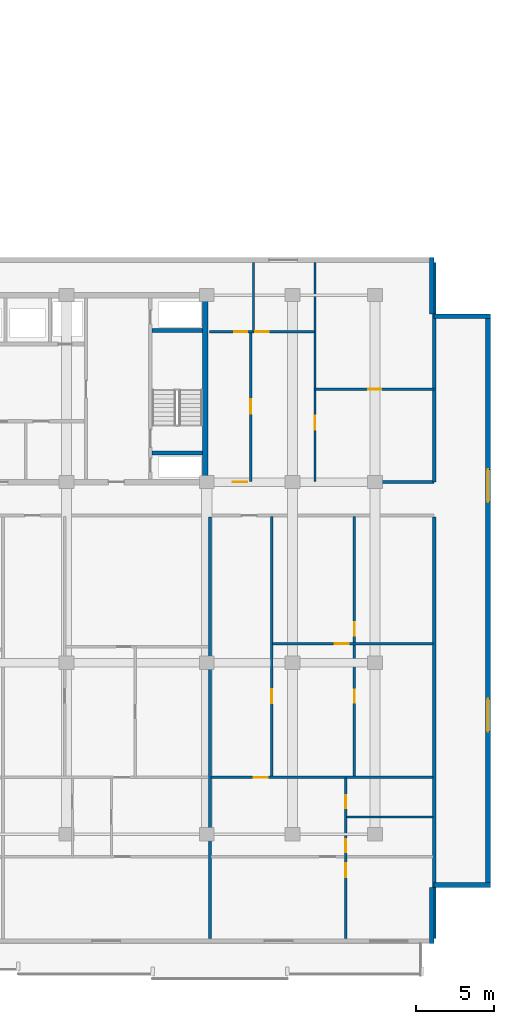
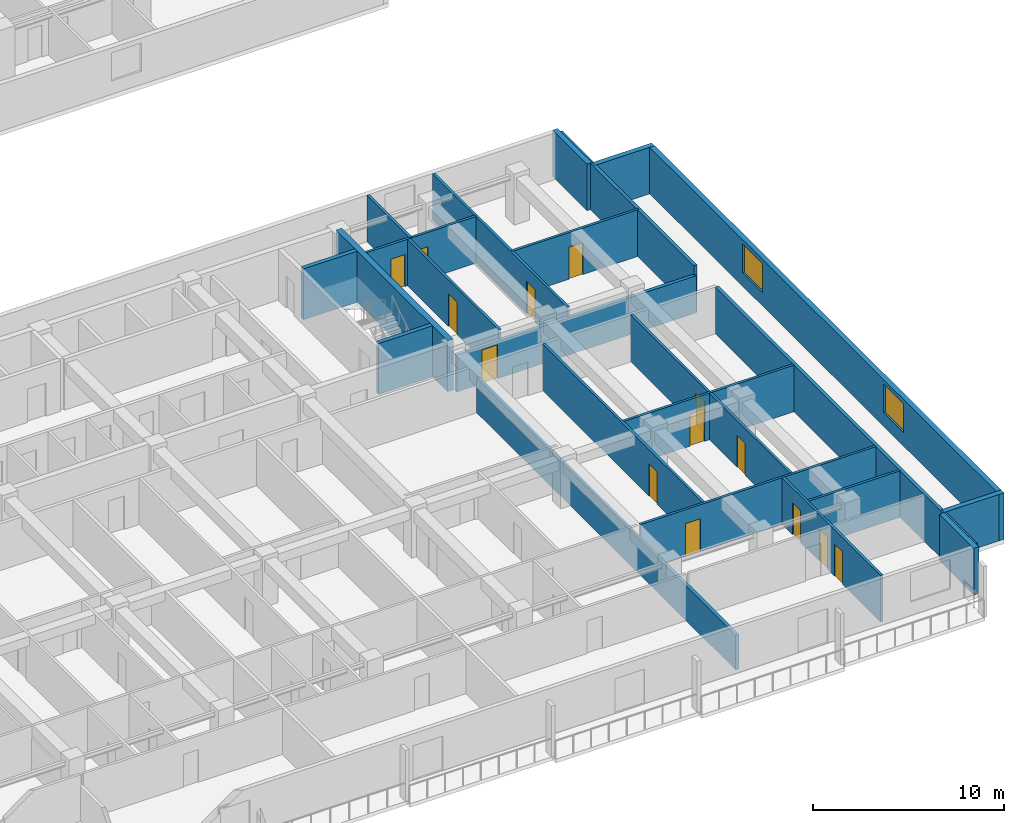
# One storey, part 8 of 23: 23 walls, 14 doors, 2 windows, 16 openings.
"""IFC4 building model written with IfcOpenShell, lengths in metres."""

from ifc_helpers import new_model, si_unit, direction, frame, frame_2d, origin, place, context, subcontext, project, spatial, rectangle, extrude, material, layer, layer_set, type_object, element, fill, save


model = new_model("IFC4")

# Units and contexts
model_context = context("Model", 3, precision=1e-05, world=origin(), true_north=direction((0.0, 1.0)))
body_context = subcontext(model_context, "Body", "Model", "MODEL_VIEW")
ifc_project = project(units=[si_unit("LENGTHUNIT", "METRE"), si_unit("AREAUNIT", "SQUARE_METRE"), si_unit("VOLUMEUNIT", "CUBIC_METRE"), si_unit("PLANEANGLEUNIT", "RADIAN"), si_unit("MASSUNIT", "GRAM", prefix="KILO")], contexts=[model_context])

# Site, building, storey
site_placement = place(None, origin())
site = spatial("IfcSite", under=ifc_project, at=site_placement, CompositionType="ELEMENT")
building_placement = place(site_placement, origin())
building = spatial("IfcBuilding", under=site, at=building_placement, Name="Korimba Cascade Residences", CompositionType="ELEMENT")
storey_placement = place(building_placement, frame((0.0, 0.0, 27.25)))
storey = spatial("IfcBuildingStorey", under=building, at=storey_placement, Name="L06", CompositionType="ELEMENT", Elevation=27.25)

# Walls
ifc_material_1 = material(Name="Precast concrete C40/50", Category="concrete")
ifc_layer_1 = layer(ifc_material_1, 0.300048828125)
ifc_layer_set_1 = layer_set([ifc_layer_1], Name="Precast concrete C40/50")
wall_type_1 = type_object("IfcWallType", Name="EW-STONE-300", PredefinedType="STANDARD", material=ifc_layer_set_1)
wall_1_placement = place(storey_placement, frame((132.550048828125, -11.199951171875, 0.0), z_axis=(0.0, 0.0, 1.0), x_axis=(0.0, 1.0, 0.0)))
element("IfcWall", 1, at=wall_1_placement, inside=storey, type_object=wall_type_1, Name="L06 T2 Perimeter Stone Wall E01", PredefinedType="STANDARD", context=body_context, shape_type="SweptSolid", body=[
    extrude(rectangle(XDim=3.599853515625, YDim=0.300048828125, at=frame_2d((1.7998046875, 0.0))), origin(), (0.0, 0.0, 1.0), 2.969970703125),
])
wall_2_placement = place(storey_placement, frame((132.699951171875, -7.449951171875, 0.0), z_axis=(0.0, 0.0, 1.0), x_axis=(1.0, 0.0, 0.0)))
element("IfcWall", 2, at=wall_2_placement, inside=storey, type_object=wall_type_1, Name="L06 T2 Perimeter Stone Wall E02", PredefinedType="STANDARD", context=body_context, shape_type="SweptSolid", body=[
    extrude(rectangle(XDim=3.60009765625, YDim=0.300048828125, at=frame_2d((1.800048828125, 0.0))), origin(), (0.0, 0.0, 1.0), 2.969970703125),
])

# Wall, openings, windows
wall_3_placement = place(storey_placement, frame((136.14990234375, -7.60009765625, 0.0), z_axis=(0.0, 0.0, 1.0), x_axis=(0.0, 1.0, 0.0)))
wall_3 = element("IfcWall", 3, at=wall_3_placement, inside=storey, type_object=wall_type_1, Name="L06 T2 Perimeter Stone Wall E03", PredefinedType="STANDARD", context=body_context, shape_type="SweptSolid", body=[
    extrude(rectangle(XDim=36.800048828125, YDim=0.300048828125, at=frame_2d((18.39990234375, 0.0))), origin(), (0.0, 0.0, 1.0), 2.969970703125),
])
opening_1_placement = place(wall_3_placement, frame((9.989990234375, 0.0, 0.85009765625)))
opening_1 = element("IfcOpeningElement", 4, at=opening_1_placement, cuts=wall_3, Name="Opening W-03", PredefinedType="OPENING", context=body_context, shape_type="SweptSolid", body=[
    extrude(rectangle(XDim=2.10009765625, YDim=1.85009765625, at=frame_2d((1.050048828125, 0.925048828125))), frame((0.0, 0.16015625, 0.0), z_axis=(0.0, -1.0, 0.0), x_axis=(1.0, 0.0, 0.0)), (0.0, 0.0, 1.0), 0.320068359375),
])
opening_2_placement = place(wall_3_placement, frame((24.7099609375, 0.0, 0.85009765625)))
opening_2 = element("IfcOpeningElement", 5, at=opening_2_placement, cuts=wall_3, Name="Opening W-03", PredefinedType="OPENING", context=body_context, shape_type="SweptSolid", body=[
    extrude(rectangle(XDim=2.10009765625, YDim=1.85009765625, at=frame_2d((1.050048828125, 0.925048828125))), frame((0.0, 0.16015625, 0.0), z_axis=(0.0, -1.0, 0.0), x_axis=(1.0, 0.0, 0.0)), (0.0, 0.0, 1.0), 0.320068359375),
])
ifc_material_2 = material(Name="Double-Glazed Aluminium Window", Category="aluminium")
window_type = type_object("IfcWindowType", Name="WIN-CRN-2100", PartitioningType="DOUBLE_PANEL_HORIZONTAL", PredefinedType="WINDOW", material=ifc_material_2)
window_1_placement = place(opening_1_placement, origin())
window_1 = element("IfcWindow", 6, at=window_1_placement, inside=storey, type_object=window_type, Name="L06 T2 End View Window 3.1", OverallHeight=1.85009765625, OverallWidth=2.10009765625, PartitioningType="DOUBLE_PANEL_HORIZONTAL", PredefinedType="WINDOW", context=body_context, shape_type="SweptSolid", body=[
    extrude(rectangle(XDim=2.10009765625, YDim=1.85009765625, at=frame_2d((1.050048828125, 0.925048828125))), frame((0.0, 0.030029296875, 0.0), z_axis=(0.0, -1.0, 0.0), x_axis=(1.0, 0.0, 0.0)), (0.0, 0.0, 1.0), 0.06005859375),
])
fill(opening_1, window_1)
window_2_placement = place(opening_2_placement, origin())
window_2 = element("IfcWindow", 7, at=window_2_placement, inside=storey, type_object=window_type, Name="L06 T2 End View Window 3.2", OverallHeight=1.85009765625, OverallWidth=2.10009765625, PartitioningType="DOUBLE_PANEL_HORIZONTAL", PredefinedType="WINDOW", context=body_context, shape_type="SweptSolid", body=[
    extrude(rectangle(XDim=2.10009765625, YDim=1.85009765625, at=frame_2d((1.050048828125, 0.925048828125))), frame((0.0, 0.030029296875, 0.0), z_axis=(0.0, -1.0, 0.0), x_axis=(1.0, 0.0, 0.0)), (0.0, 0.0, 1.0), 0.06005859375),
])
fill(opening_2, window_2)

# Walls
for number, where, z_axis, x_axis, name in (
    (8, (136.300048828125, 29.050048828125, 0.0), (0.0, 0.0, 1.0), (-1.0, 0.0, 0.0), "L06 T2 Perimeter Stone Wall E04"),
    (9, (132.550048828125, 29.199951171875, 0.0), (0.0, 0.0, 1.0), (0.0, 1.0, 0.0), "L06 T2 Perimeter Stone Wall E05"),
):
    element("IfcWall", number, at=place(storey_placement, frame(where, z_axis=z_axis, x_axis=x_axis)), inside=storey, type_object=wall_type_1, Name=name, PredefinedType="STANDARD", context=body_context, shape_type="SweptSolid", body=[
        extrude(rectangle(XDim=3.60009765625, YDim=0.300048828125, at=frame_2d((1.800048828125, 0.0))), origin(), (0.0, 0.0, 1.0), 2.969970703125),
    ])
ifc_material_3 = material(Name="Concrete C65/80", Category="concrete")
ifc_layer_2 = layer(ifc_material_3, 0.35009765625)
ifc_layer_set_2 = layer_set([ifc_layer_2], Name="Concrete C65/80")
wall_type_2 = type_object("IfcWallType", Name="WAL-CORE-350", PredefinedType="SHEAR", material=ifc_layer_set_2)
wall_4_placement = place(storey_placement, frame((118.014892578125, 18.574951171875, 0.0), z_axis=(0.0, 0.0, 1.0), x_axis=(0.0, 1.0, 0.0)))
element("IfcWall", 10, at=wall_4_placement, inside=storey, type_object=wall_type_2, Name="L06 Core Shear Wall CW-L06-T2-E", PredefinedType="SHEAR", context=body_context, shape_type="SweptSolid", body=[
    extrude(rectangle(XDim=11.650146484375, YDim=0.35009765625, at=frame_2d((5.8251953125, 0.0))), origin(), (0.0, 0.0, 1.0), 3.25),
])
ifc_layer_3 = layer(ifc_material_1, 0.199951171875)
ifc_layer_set_3 = layer_set([ifc_layer_3], Name="Precast concrete C40/50")
wall_type_3 = type_object("IfcWallType", Name="WAL-IT-200", PredefinedType="PARTITIONING", material=ifc_layer_set_3)
wall_5_placement = place(storey_placement, frame((132.699951171875, 18.39990234375, 0.0), z_axis=(0.0, 0.0, 1.0), x_axis=(0.0, 1.0, 0.0)))
element("IfcWall", 11, at=wall_5_placement, inside=storey, type_object=wall_type_3, Name="L06 Partition Wall WAL-L06-T2-FE-WR", PredefinedType="PARTITIONING", context=body_context, shape_type="SweptSolid", body=[
    extrude(rectangle(XDim=14.10009765625, YDim=0.199951171875, at=frame_2d((7.050048828125, 0.0))), origin(), (0.0, 0.0, 1.0), 2.969970703125),
])

# Wall, opening, door
wall_6_placement = place(storey_placement, frame((118.25, 18.39990234375, 0.0), z_axis=(0.0, 0.0, 1.0), x_axis=(1.0, 0.0, 0.0)))
wall_6 = element("IfcWall", 12, at=wall_6_placement, inside=storey, type_object=wall_type_3, Name="L06 Partition Wall WAL-L06-T2-FE-S", PredefinedType="PARTITIONING", context=body_context, shape_type="SweptSolid", body=[
    extrude(rectangle(XDim=14.449951171875, YDim=0.199951171875, at=frame_2d((7.22509765625, 0.0))), origin(), (0.0, 0.0, 1.0), 2.3701171875),
])
opening_3_placement = place(wall_6_placement, frame((1.510009765625, 0.0, 0.0)))
opening_3 = element("IfcOpeningElement", 13, at=opening_3_placement, cuts=wall_6, Name="Opening D-UN1", PredefinedType="OPENING", context=body_context, shape_type="SweptSolid", body=[
    extrude(rectangle(XDim=0.949951171875, YDim=2.14990234375, at=frame_2d((0.47509765625, 1.074951171875))), frame((0.0, 0.10986328125, 0.0), z_axis=(0.0, -1.0, 0.0), x_axis=(1.0, 0.0, 0.0)), (0.0, 0.0, 1.0), 0.219970703125),
])
ifc_material_4 = material(Name="Fire-Rated Hardwood Apartment Entrance Door", Category="wood")
door_type_1 = type_object("IfcDoorType", Name="DR-FD60-950", OperationType="NOTDEFINED", PredefinedType="DOOR", material=ifc_material_4)
door_1_placement = place(opening_3_placement, origin())
door_1 = element("IfcDoor", 14, at=door_1_placement, inside=storey, type_object=door_type_1, Name="L06-T2-FE Entrance Door", OperationType="SINGLE_SWING_RIGHT", OverallHeight=2.14990234375, OverallWidth=0.949951171875, PredefinedType="DOOR", context=body_context, shape_type="SweptSolid", body=[
    extrude(rectangle(XDim=0.949951171875, YDim=2.14990234375, at=frame_2d((0.47509765625, 1.074951171875))), frame((0.0, 0.02490234375, 0.0), z_axis=(0.0, -1.0, 0.0), x_axis=(1.0, 0.0, 0.0)), (0.0, 0.0, 1.0), 0.050048828125),
])
fill(opening_3, door_1)

# Walls
wall_7_placement = place(storey_placement, frame((132.699951171875, -10.89990234375, 0.0), z_axis=(0.0, 0.0, 1.0), x_axis=(0.0, 1.0, 0.0)))
element("IfcWall", 15, at=wall_7_placement, inside=storey, type_object=wall_type_3, Name="L06 Partition Wall WAL-L06-T2-BNDWR", PredefinedType="PARTITIONING", context=body_context, shape_type="SweptSolid", body=[
    extrude(rectangle(XDim=27.06982421875, YDim=0.199951171875, at=frame_2d((13.534912109375, 0.0))), origin(), (0.0, 0.0, 1.0), 2.969970703125),
])
wall_8_placement = place(storey_placement, frame((118.30712890625, -10.89990234375, 0.0), z_axis=(0.0, 0.0, 1.0), x_axis=(0.0, 1.0, 0.0)))
element("IfcWall", 16, at=wall_8_placement, inside=storey, type_object=wall_type_3, Name="L06 Partition Wall WAL-L06-T2-DEM-4", PredefinedType="PARTITIONING", context=body_context, shape_type="SweptSolid", body=[
    extrude(rectangle(XDim=27.06982421875, YDim=0.199951171875, at=frame_2d((13.534912109375, 0.0))), origin(), (0.0, 0.0, 1.0), 2.219970703125),
])

# Wall, opening, door
ifc_material_5 = material(Name="Insulated Acoustic Stud Partition", Category="gypsum")
ifc_layer_4 = layer(ifc_material_5, 0.14990234375)
ifc_layer_set_4 = layer_set([ifc_layer_4], Name="Insulated Acoustic Stud Partition")
wall_type_4 = type_object("IfcWallType", Name="WAL-PART-150", PredefinedType="PARTITIONING", material=ifc_layer_set_4)
wall_9_placement = place(storey_placement, frame((125.050048828125, 24.35009765625, 0.0), z_axis=(0.0, 0.0, 1.0), x_axis=(1.0, 0.0, 0.0)))
wall_9 = element("IfcWall", 17, at=wall_9_placement, inside=storey, type_object=wall_type_4, Name="L06 Partition Wall WAL-L06-T2-FE-STH", PredefinedType="PARTITIONING", context=body_context, shape_type="SweptSolid", body=[
    extrude(rectangle(XDim=7.64990234375, YDim=0.14990234375, at=frame_2d((3.824951171875, 0.0))), origin(), (0.0, 0.0, 1.0), 2.969970703125),
])
opening_4_placement = place(wall_9_placement, frame((3.405029296875, 0.0, 0.0)))
opening_4 = element("IfcOpeningElement", 18, at=opening_4_placement, cuts=wall_9, Name="Opening D-BT1", PredefinedType="OPENING", context=body_context, shape_type="SweptSolid", body=[
    extrude(rectangle(XDim=0.840087890625, YDim=2.0400390625, at=frame_2d((0.419921875, 1.02001953125))), frame((0.0, 0.0849609375, 0.0), z_axis=(0.0, -1.0, 0.0), x_axis=(1.0, 0.0, 0.0)), (0.0, 0.0, 1.0), 0.169921875),
])
ifc_material_6 = material(Name="Moisture-Resistant Bathroom Timber Door", Category="wood")
door_type_2 = type_object("IfcDoorType", Name="DR-INT-850", OperationType="NOTDEFINED", PredefinedType="DOOR", material=ifc_material_6)
door_2_placement = place(opening_4_placement, origin())
door_2 = element("IfcDoor", 19, at=door_2_placement, inside=storey, type_object=door_type_2, Name="L06-T2-FE Dressing Store Door", OperationType="SINGLE_SWING_LEFT", OverallHeight=2.0400390625, OverallWidth=0.840087890625, PredefinedType="DOOR", context=body_context, shape_type="SweptSolid", body=[
    extrude(rectangle(XDim=0.840087890625, YDim=2.0400390625, at=frame_2d((0.419921875, 1.02001953125))), frame((0.0, 0.02490234375, 0.0), z_axis=(0.0, -1.0, 0.0), x_axis=(1.0, 0.0, 0.0)), (0.0, 0.0, 1.0), 0.050048828125),
])
fill(opening_4, door_2)

wall_10_placement = place(storey_placement, frame((125.050048828125, 18.449951171875, 0.0), z_axis=(0.0, 0.0, 1.0), x_axis=(0.0, 1.0, 0.0)))
wall_10 = element("IfcWall", 20, at=wall_10_placement, inside=storey, type_object=wall_type_4, Name="L06 Partition Wall WAL-L06-T2-FE-STV", PredefinedType="PARTITIONING", context=body_context, shape_type="SweptSolid", body=[
    extrude(rectangle(XDim=14.050048828125, YDim=0.14990234375, at=frame_2d((7.02490234375, 0.0))), origin(), (0.0, 0.0, 1.0), 2.969970703125),
])
opening_5_placement = place(wall_10_placement, frame((3.320068359375, 0.0, 0.0)))
opening_5 = element("IfcOpeningElement", 21, at=opening_5_placement, cuts=wall_10, Name="Opening D-IN2", PredefinedType="OPENING", context=body_context, shape_type="SweptSolid", body=[
    extrude(rectangle(XDim=0.8798828125, YDim=2.06005859375, at=frame_2d((0.43994140625, 1.030029296875))), frame((0.0, 0.0849609375, 0.0), z_axis=(0.0, -1.0, 0.0), x_axis=(1.0, 0.0, 0.0)), (0.0, 0.0, 1.0), 0.169921875),
])
ifc_material_7 = material(Name="Acoustic Timber Bedroom Door", Category="wood")
door_type_3 = type_object("IfcDoorType", Name="DR-INT-880", OperationType="NOTDEFINED", PredefinedType="DOOR", material=ifc_material_7)
door_3_placement = place(opening_5_placement, origin())
door_3 = element("IfcDoor", 22, at=door_3_placement, inside=storey, type_object=door_type_3, Name="L06-T2-FE Study Door", OperationType="SINGLE_SWING_RIGHT", OverallHeight=2.06005859375, OverallWidth=0.8798828125, PredefinedType="DOOR", context=body_context, shape_type="SweptSolid", body=[
    extrude(rectangle(XDim=0.8798828125, YDim=2.06005859375, at=frame_2d((0.43994140625, 1.030029296875))), frame((0.0, 0.02490234375, 0.0), z_axis=(0.0, -1.0, 0.0), x_axis=(1.0, 0.0, 0.0)), (0.0, 0.0, 1.0), 0.050048828125),
])
fill(opening_5, door_3)

wall_11_placement = place(storey_placement, frame((120.929931640625, 18.449951171875, 0.0), z_axis=(0.0, 0.0, 1.0), x_axis=(0.0, 1.0, 0.0)))
wall_11 = element("IfcWall", 23, at=wall_11_placement, inside=storey, type_object=wall_type_4, Name="L06 Partition Wall WAL-L06-T2-FE-VS", PredefinedType="PARTITIONING", context=body_context, shape_type="SweptSolid", body=[
    extrude(rectangle(XDim=9.60009765625, YDim=0.14990234375, at=frame_2d((4.800048828125, 0.0))), origin(), (0.0, 0.0, 1.0), 2.969970703125),
])
opening_6_placement = place(wall_11_placement, frame((4.340087890625, 0.0, 0.0)))
opening_6 = element("IfcOpeningElement", 24, at=opening_6_placement, cuts=wall_11, Name="Opening D-IN1", PredefinedType="OPENING", context=body_context, shape_type="SweptSolid", body=[
    extrude(rectangle(XDim=0.919921875, YDim=2.080078125, at=frame_2d((0.4599609375, 1.0400390625))), frame((0.0, 0.0849609375, 0.0), z_axis=(0.0, -1.0, 0.0), x_axis=(1.0, 0.0, 0.0)), (0.0, 0.0, 1.0), 0.169921875),
])
ifc_material_8 = material(Name="Acoustic Timber Living Door", Category="wood")
door_type_4 = type_object("IfcDoorType", Name="DR-INT-920", OperationType="NOTDEFINED", PredefinedType="DOOR", material=ifc_material_8)
door_4_placement = place(opening_6_placement, origin())
door_4 = element("IfcDoor", 25, at=door_4_placement, inside=storey, type_object=door_type_4, Name="L06-T2-FE Living Door", OperationType="SINGLE_SWING_LEFT", OverallHeight=2.080078125, OverallWidth=0.919921875, PredefinedType="DOOR", context=body_context, shape_type="SweptSolid", body=[
    extrude(rectangle(XDim=0.919921875, YDim=2.080078125, at=frame_2d((0.4599609375, 1.0400390625))), frame((0.0, 0.02490234375, 0.0), z_axis=(0.0, -1.0, 0.0), x_axis=(1.0, 0.0, 0.0)), (0.0, 0.0, 1.0), 0.050048828125),
])
fill(opening_6, door_4)

# Wall
wall_12_placement = place(storey_placement, frame((121.10009765625, 28.050048828125, 0.0), z_axis=(0.0, 0.0, 1.0), x_axis=(0.0, 1.0, 0.0)))
element("IfcWall", 26, at=wall_12_placement, inside=storey, type_object=wall_type_4, Name="L06 Partition Wall WAL-L06-T2-FE-VN", PredefinedType="PARTITIONING", context=body_context, shape_type="SweptSolid", body=[
    extrude(rectangle(XDim=4.449951171875, YDim=0.14990234375, at=frame_2d((2.22509765625, 0.0))), origin(), (0.0, 0.0, 1.0), 2.969970703125),
])

# Wall, openings, doors
wall_13_placement = place(storey_placement, frame((118.27001953125, 28.050048828125, 0.0), z_axis=(0.0, 0.0, 1.0), x_axis=(1.0, 0.0, 0.0)))
wall_13 = element("IfcWall", 27, at=wall_13_placement, inside=storey, type_object=wall_type_4, Name="L06 Partition Wall WAL-L06-T2-FE-H", PredefinedType="PARTITIONING", context=body_context, shape_type="SweptSolid", body=[
    extrude(rectangle(XDim=6.760009765625, YDim=0.14990234375, at=frame_2d((3.3798828125, 0.0))), origin(), (0.0, 0.0, 1.0), 2.969970703125),
])
opening_7_placement = place(wall_13_placement, frame((1.58740234375, 0.0, 0.0)))
opening_7 = element("IfcOpeningElement", 28, at=opening_7_placement, cuts=wall_13, Name="Opening D-BT1", PredefinedType="OPENING", context=body_context, shape_type="SweptSolid", body=[
    extrude(rectangle(XDim=0.840087890625, YDim=2.0400390625, at=frame_2d((0.419921875, 1.02001953125))), frame((0.0, 0.0849609375, 0.0), z_axis=(0.0, -1.0, 0.0), x_axis=(1.0, 0.0, 0.0)), (0.0, 0.0, 1.0), 0.169921875),
])
opening_8_placement = place(wall_13_placement, frame((2.93408203125, 0.0, 0.0)))
opening_8 = element("IfcOpeningElement", 29, at=opening_8_placement, cuts=wall_13, Name="Opening D-IN2", PredefinedType="OPENING", context=body_context, shape_type="SweptSolid", body=[
    extrude(rectangle(XDim=0.8798828125, YDim=2.06005859375, at=frame_2d((0.43994140625, 1.030029296875))), frame((0.0, 0.0849609375, 0.0), z_axis=(0.0, -1.0, 0.0), x_axis=(1.0, 0.0, 0.0)), (0.0, 0.0, 1.0), 0.169921875),
])
door_5_placement = place(opening_7_placement, origin())
door_5 = element("IfcDoor", 30, at=door_5_placement, inside=storey, type_object=door_type_2, Name="L06-T2-FE Bathroom Door", OperationType="SINGLE_SWING_RIGHT", OverallHeight=2.0400390625, OverallWidth=0.840087890625, PredefinedType="DOOR", context=body_context, shape_type="SweptSolid", body=[
    extrude(rectangle(XDim=0.840087890625, YDim=2.0400390625, at=frame_2d((0.419921875, 1.02001953125))), frame((0.0, 0.02490234375, 0.0), z_axis=(0.0, -1.0, 0.0), x_axis=(1.0, 0.0, 0.0)), (0.0, 0.0, 1.0), 0.050048828125),
])
fill(opening_7, door_5)
door_6_placement = place(opening_8_placement, origin())
door_6 = element("IfcDoor", 31, at=door_6_placement, inside=storey, type_object=door_type_3, Name="L06-T2-FE Bedroom Door", OperationType="SINGLE_SWING_LEFT", OverallHeight=2.06005859375, OverallWidth=0.8798828125, PredefinedType="DOOR", context=body_context, shape_type="SweptSolid", body=[
    extrude(rectangle(XDim=0.8798828125, YDim=2.06005859375, at=frame_2d((0.43994140625, 1.030029296875))), frame((0.0, 0.02490234375, 0.0), z_axis=(0.0, -1.0, 0.0), x_axis=(1.0, 0.0, 0.0)), (0.0, 0.0, 1.0), 0.050048828125),
])
fill(opening_8, door_6)

wall_14_placement = place(storey_placement, frame((127.57861328125, -0.510009765625, 0.0), z_axis=(0.0, 0.0, 1.0), x_axis=(0.0, 1.0, 0.0)))
wall_14 = element("IfcWall", 32, at=wall_14_placement, inside=storey, type_object=wall_type_4, Name="L06 Partition Wall WAL-L06-T2-U05-FMV", PredefinedType="PARTITIONING", context=body_context, shape_type="SweptSolid", body=[
    extrude(rectangle(XDim=16.699951171875, YDim=0.14990234375, at=frame_2d((8.35009765625, 0.0))), origin(), (0.0, 0.0, 1.0), 2.969970703125),
])
opening_9_placement = place(wall_14_placement, frame((4.745849609375, 0.0, 0.0)))
opening_9 = element("IfcOpeningElement", 33, at=opening_9_placement, cuts=wall_14, Name="Opening D-BT1", PredefinedType="OPENING", context=body_context, shape_type="SweptSolid", body=[
    extrude(rectangle(XDim=0.840087890625, YDim=2.0400390625, at=frame_2d((0.419921875, 1.02001953125))), frame((0.0, 0.0849609375, 0.0), z_axis=(0.0, -1.0, 0.0), x_axis=(1.0, 0.0, 0.0)), (0.0, 0.0, 1.0), 0.169921875),
])
opening_10_placement = place(wall_14_placement, frame((9.047607421875, 0.0, 0.0)))
opening_10 = element("IfcOpeningElement", 34, at=opening_10_placement, cuts=wall_14, Name="Opening D-IN2", PredefinedType="OPENING", context=body_context, shape_type="SweptSolid", body=[
    extrude(rectangle(XDim=0.8798828125, YDim=2.06005859375, at=frame_2d((0.43994140625, 1.030029296875))), frame((0.0, 0.0849609375, 0.0), z_axis=(0.0, -1.0, 0.0), x_axis=(1.0, 0.0, 0.0)), (0.0, 0.0, 1.0), 0.169921875),
])
door_7_placement = place(opening_9_placement, origin())
door_7 = element("IfcDoor", 35, at=door_7_placement, inside=storey, type_object=door_type_2, Name="L06-T2-U05 Wardrobe Door", OperationType="SINGLE_SWING_LEFT", OverallHeight=2.0400390625, OverallWidth=0.840087890625, PredefinedType="DOOR", context=body_context, shape_type="SweptSolid", body=[
    extrude(rectangle(XDim=0.840087890625, YDim=2.0400390625, at=frame_2d((0.419921875, 1.02001953125))), frame((0.0, 0.02490234375, 0.0), z_axis=(0.0, -1.0, 0.0), x_axis=(1.0, 0.0, 0.0)), (0.0, 0.0, 1.0), 0.050048828125),
])
fill(opening_9, door_7)
door_8_placement = place(opening_10_placement, origin())
door_8 = element("IfcDoor", 36, at=door_8_placement, inside=storey, type_object=door_type_3, Name="L06-T2-U05 Music Lounge Door", OperationType="SINGLE_SWING_RIGHT", OverallHeight=2.06005859375, OverallWidth=0.8798828125, PredefinedType="DOOR", context=body_context, shape_type="SweptSolid", body=[
    extrude(rectangle(XDim=0.8798828125, YDim=2.06005859375, at=frame_2d((0.43994140625, 1.030029296875))), frame((0.0, 0.02490234375, 0.0), z_axis=(0.0, -1.0, 0.0), x_axis=(1.0, 0.0, 0.0)), (0.0, 0.0, 1.0), 0.050048828125),
])
fill(opening_10, door_8)

# Wall, opening, door
wall_15_placement = place(storey_placement, frame((122.337158203125, 8.02001953125, 0.0), z_axis=(0.0, 0.0, 1.0), x_axis=(1.0, 0.0, 0.0)))
wall_15 = element("IfcWall", 37, at=wall_15_placement, inside=storey, type_object=wall_type_4, Name="L06 Partition Wall WAL-L06-T2-U05-FMH", PredefinedType="PARTITIONING", context=body_context, shape_type="SweptSolid", body=[
    extrude(rectangle(XDim=10.282958984375, YDim=0.14990234375, at=frame_2d((5.1416015625, 0.0))), origin(), (0.0, 0.0, 1.0), 2.969970703125),
])
opening_11_placement = place(wall_15_placement, frame((3.98974609375, 0.0, 0.0)))
opening_11 = element("IfcOpeningElement", 38, at=opening_11_placement, cuts=wall_15, Name="Opening D-IN2", PredefinedType="OPENING", context=body_context, shape_type="SweptSolid", body=[
    extrude(rectangle(XDim=0.8798828125, YDim=2.06005859375, at=frame_2d((0.43994140625, 1.030029296875))), frame((0.0, 0.0849609375, 0.0), z_axis=(0.0, -1.0, 0.0), x_axis=(1.0, 0.0, 0.0)), (0.0, 0.0, 1.0), 0.169921875),
])
door_9_placement = place(opening_11_placement, origin())
door_9 = element("IfcDoor", 39, at=door_9_placement, inside=storey, type_object=door_type_3, Name="L06-T2-U05 Library Salon Door", OperationType="SINGLE_SWING_LEFT", OverallHeight=2.06005859375, OverallWidth=0.8798828125, PredefinedType="DOOR", context=body_context, shape_type="SweptSolid", body=[
    extrude(rectangle(XDim=0.8798828125, YDim=2.06005859375, at=frame_2d((0.43994140625, 1.030029296875))), frame((0.0, 0.02490234375, 0.0), z_axis=(0.0, -1.0, 0.0), x_axis=(1.0, 0.0, 0.0)), (0.0, 0.0, 1.0), 0.050048828125),
])
fill(opening_11, door_9)

wall_16_placement = place(storey_placement, frame((122.277099609375, -0.510009765625, 0.0), z_axis=(0.0, 0.0, 1.0), x_axis=(0.0, 1.0, 0.0)))
wall_16 = element("IfcWall", 40, at=wall_16_placement, inside=storey, type_object=wall_type_4, Name="L06 Partition Wall WAL-L06-T2-U05-FV", PredefinedType="PARTITIONING", context=body_context, shape_type="SweptSolid", body=[
    extrude(rectangle(XDim=16.699951171875, YDim=0.14990234375, at=frame_2d((8.35009765625, 0.0))), origin(), (0.0, 0.0, 1.0), 2.969970703125),
])
opening_12_placement = place(wall_16_placement, frame((4.720947265625, 0.0, 0.0)))
opening_12 = element("IfcOpeningElement", 41, at=opening_12_placement, cuts=wall_16, Name="Opening D-IN2", PredefinedType="OPENING", context=body_context, shape_type="SweptSolid", body=[
    extrude(rectangle(XDim=0.8798828125, YDim=2.06005859375, at=frame_2d((0.43994140625, 1.030029296875))), frame((0.0, 0.0849609375, 0.0), z_axis=(0.0, -1.0, 0.0), x_axis=(1.0, 0.0, 0.0)), (0.0, 0.0, 1.0), 0.169921875),
])
door_10_placement = place(opening_12_placement, origin())
door_10 = element("IfcDoor", 42, at=door_10_placement, inside=storey, type_object=door_type_3, Name="L06-T2-U05 Media Lounge Door", OperationType="SINGLE_SWING_RIGHT", OverallHeight=2.06005859375, OverallWidth=0.8798828125, PredefinedType="DOOR", context=body_context, shape_type="SweptSolid", body=[
    extrude(rectangle(XDim=0.8798828125, YDim=2.06005859375, at=frame_2d((0.43994140625, 1.030029296875))), frame((0.0, 0.02490234375, 0.0), z_axis=(0.0, -1.0, 0.0), x_axis=(1.0, 0.0, 0.0)), (0.0, 0.0, 1.0), 0.050048828125),
])
fill(opening_12, door_10)

# Wall
wall_17_placement = place(storey_placement, frame((127.080078125, -3.090087890625, 0.0), z_axis=(0.0, 0.0, 1.0), x_axis=(1.0, 0.0, 0.0)))
element("IfcWall", 43, at=wall_17_placement, inside=storey, type_object=wall_type_4, Name="L06 Partition Wall WAL-L06-T2-U05-BLDIV", PredefinedType="PARTITIONING", context=body_context, shape_type="SweptSolid", body=[
    extrude(rectangle(XDim=5.5400390625, YDim=0.14990234375, at=frame_2d((2.77001953125, 0.0))), origin(), (0.0, 0.0, 1.0), 2.969970703125),
])

# Wall, openings, doors
wall_18_placement = place(storey_placement, frame((127.02001953125, -10.89990234375, 0.0), z_axis=(0.0, 0.0, 1.0), x_axis=(0.0, 1.0, 0.0)))
wall_18 = element("IfcWall", 44, at=wall_18_placement, inside=storey, type_object=wall_type_4, Name="L06 Partition Wall WAL-L06-T2-U05-V1", PredefinedType="PARTITIONING", context=body_context, shape_type="SweptSolid", body=[
    extrude(rectangle(XDim=10.309814453125, YDim=0.14990234375, at=frame_2d((5.15478515625, 0.0))), origin(), (0.0, 0.0, 1.0), 2.969970703125),
])
opening_13_placement = place(wall_18_placement, frame((5.550048828125, 0.0, 0.0)))
opening_13 = element("IfcOpeningElement", 45, at=opening_13_placement, cuts=wall_18, Name="Opening D-BT1", PredefinedType="OPENING", context=body_context, shape_type="SweptSolid", body=[
    extrude(rectangle(XDim=0.840087890625, YDim=2.0400390625, at=frame_2d((0.419921875, 1.02001953125))), frame((0.0, 0.0849609375, 0.0), z_axis=(0.0, -1.0, 0.0), x_axis=(1.0, 0.0, 0.0)), (0.0, 0.0, 1.0), 0.169921875),
])
opening_14_placement = place(wall_18_placement, frame((8.362060546875, 0.0, 0.0)))
opening_14 = element("IfcOpeningElement", 46, at=opening_14_placement, cuts=wall_18, Name="Opening D-BT1", PredefinedType="OPENING", context=body_context, shape_type="SweptSolid", body=[
    extrude(rectangle(XDim=0.840087890625, YDim=2.0400390625, at=frame_2d((0.419921875, 1.02001953125))), frame((0.0, 0.0849609375, 0.0), z_axis=(0.0, -1.0, 0.0), x_axis=(1.0, 0.0, 0.0)), (0.0, 0.0, 1.0), 0.169921875),
])
opening_15_placement = place(wall_18_placement, frame((3.949951171875, 0.0, 0.0)))
opening_15 = element("IfcOpeningElement", 47, at=opening_15_placement, cuts=wall_18, Name="Opening D-IN2", PredefinedType="OPENING", context=body_context, shape_type="SweptSolid", body=[
    extrude(rectangle(XDim=0.8798828125, YDim=2.06005859375, at=frame_2d((0.43994140625, 1.030029296875))), frame((0.0, 0.0849609375, 0.0), z_axis=(0.0, -1.0, 0.0), x_axis=(1.0, 0.0, 0.0)), (0.0, 0.0, 1.0), 0.169921875),
])
door_11_placement = place(opening_13_placement, origin())
door_11 = element("IfcDoor", 48, at=door_11_placement, inside=storey, type_object=door_type_2, Name="L06-T2-U05 Bathroom Door", OperationType="SINGLE_SWING_LEFT", OverallHeight=2.0400390625, OverallWidth=0.840087890625, PredefinedType="DOOR", context=body_context, shape_type="SweptSolid", body=[
    extrude(rectangle(XDim=0.840087890625, YDim=2.0400390625, at=frame_2d((0.419921875, 1.02001953125))), frame((0.0, 0.02490234375, 0.0), z_axis=(0.0, -1.0, 0.0), x_axis=(1.0, 0.0, 0.0)), (0.0, 0.0, 1.0), 0.050048828125),
])
fill(opening_13, door_11)
door_12_placement = place(opening_14_placement, origin())
door_12 = element("IfcDoor", 49, at=door_12_placement, inside=storey, type_object=door_type_2, Name="L06-T2-U05 Laundry Door", OperationType="SINGLE_SWING_RIGHT", OverallHeight=2.0400390625, OverallWidth=0.840087890625, PredefinedType="DOOR", context=body_context, shape_type="SweptSolid", body=[
    extrude(rectangle(XDim=0.840087890625, YDim=2.0400390625, at=frame_2d((0.419921875, 1.02001953125))), frame((0.0, 0.02490234375, 0.0), z_axis=(0.0, -1.0, 0.0), x_axis=(1.0, 0.0, 0.0)), (0.0, 0.0, 1.0), 0.050048828125),
])
fill(opening_14, door_12)
door_13_placement = place(opening_15_placement, origin())
door_13 = element("IfcDoor", 50, at=door_13_placement, inside=storey, type_object=door_type_3, Name="L06-T2-U05 Bedroom 1 Door", OperationType="SINGLE_SWING_LEFT", OverallHeight=2.06005859375, OverallWidth=0.8798828125, PredefinedType="DOOR", context=body_context, shape_type="SweptSolid", body=[
    extrude(rectangle(XDim=0.8798828125, YDim=2.06005859375, at=frame_2d((0.43994140625, 1.030029296875))), frame((0.0, 0.02490234375, 0.0), z_axis=(0.0, -1.0, 0.0), x_axis=(1.0, 0.0, 0.0)), (0.0, 0.0, 1.0), 0.050048828125),
])
fill(opening_15, door_13)

# Wall, opening, door
wall_19_placement = place(storey_placement, frame((118.38720703125, -0.550048828125, 0.0), z_axis=(0.0, 0.0, 1.0), x_axis=(1.0, 0.0, 0.0)))
wall_19 = element("IfcWall", 51, at=wall_19_placement, inside=storey, type_object=wall_type_4, Name="L06 Partition Wall WAL-L06-T2-U05-MW", PredefinedType="PARTITIONING", context=body_context, shape_type="SweptSolid", body=[
    extrude(rectangle(XDim=14.23291015625, YDim=0.14990234375, at=frame_2d((7.116455078125, 0.0))), origin(), (0.0, 0.0, 1.0), 2.969970703125),
])
opening_16_placement = place(wall_19_placement, frame((2.719970703125, 0.0, 0.0)))
opening_16 = element("IfcOpeningElement", 52, at=opening_16_placement, cuts=wall_19, Name="Opening D-IN1", PredefinedType="OPENING", context=body_context, shape_type="SweptSolid", body=[
    extrude(rectangle(XDim=0.919921875, YDim=2.080078125, at=frame_2d((0.4599609375, 1.0400390625))), frame((0.0, 0.0849609375, 0.0), z_axis=(0.0, -1.0, 0.0), x_axis=(1.0, 0.0, 0.0)), (0.0, 0.0, 1.0), 0.169921875),
])
door_14_placement = place(opening_16_placement, origin())
door_14 = element("IfcDoor", 53, at=door_14_placement, inside=storey, type_object=door_type_4, Name="L06-T2-U05 Kitchen Archway Door", OperationType="SINGLE_SWING_RIGHT", OverallHeight=2.080078125, OverallWidth=0.919921875, PredefinedType="DOOR", context=body_context, shape_type="SweptSolid", body=[
    extrude(rectangle(XDim=0.919921875, YDim=2.080078125, at=frame_2d((0.4599609375, 1.0400390625))), frame((0.0, 0.02490234375, 0.0), z_axis=(0.0, -1.0, 0.0), x_axis=(1.0, 0.0, 0.0)), (0.0, 0.0, 1.0), 0.050048828125),
])
fill(opening_16, door_14)

# Walls
ifc_material_9 = material(Name="Concrete C50/60", Category="concrete")
ifc_layer_5 = layer(ifc_material_9, 0.25)
ifc_layer_set_5 = layer_set([ifc_layer_5], Name="Concrete C50/60")
wall_type_5 = type_object("IfcWallType", Name="WAL-SHAFT-250", PredefinedType="SHEAR", material=ifc_layer_set_5)
for number, where, z_axis, x_axis, name in (
    (54, (114.60009765625, 20.27490234375, 0.0), (0.0, 0.0, 1.0), (1.0, 0.0, 0.0), "L06 Core Shear Wall CW-L06-T2-STE2S"),
    (55, (114.60009765625, 28.125, 0.0), (0.0, 0.0, 1.0), (1.0, 0.0, 0.0), "L06 Core Shear Wall CW-L06-T2-STE2N"),
):
    element("IfcWall", number, at=place(storey_placement, frame(where, z_axis=z_axis, x_axis=x_axis)), inside=storey, type_object=wall_type_5, Name=name, PredefinedType="SHEAR", context=body_context, shape_type="SweptSolid", body=[
        extrude(rectangle(XDim=3.239990234375, YDim=0.25, at=frame_2d((1.6201171875, 0.0))), origin(), (0.0, 0.0, 1.0), 3.25),
    ])

save(model, "model.ifc")
